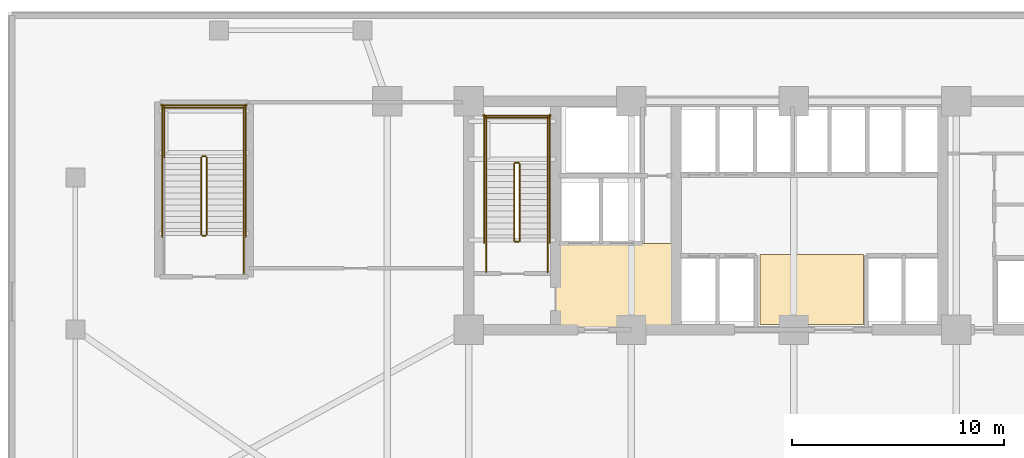
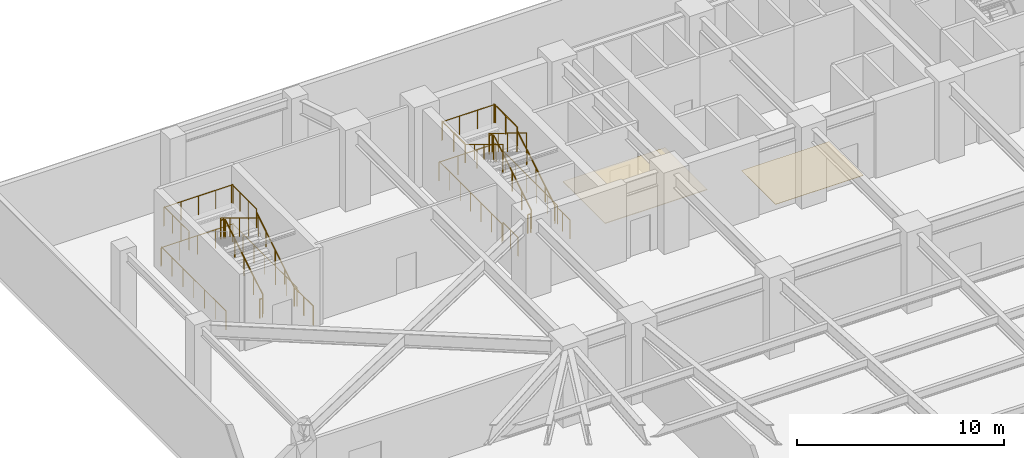
# One storey, part 16 of 19: 26 railings, 2 coverings.
"""IFC4 building model written with IfcOpenShell, lengths in metres."""

import ifcopenshell
import ifcopenshell.guid

model = None  # the IFC model being written
_history = None  # IfcOwnerHistory: only IFC2X3 demands one
_inside = {}  # id of a spatial element -> (the spatial element, [elements in it])
_under = {}  # id of a project, library or spatial element -> (it, [spatial elements below it])
_declared = {}  # id of a project -> (the project, [libraries it declares])
_typed = {}  # id of a type object -> (the type object, [elements of that type])
_made_of = {}  # id of a material, layer set ... -> (it, [elements and type objects made of it])


def new_model(schema):
    """Start an empty IFC model of exactly this schema.

    Asked for "IFC4X3", IfcOpenShell would pick the latest addendum, in which some entities
    have other attributes; the version numbers below select the first issue.
    IFC2X3 requires an IfcOwnerHistory on every rooted entity: one is made here for all.
    """
    global model, _history
    if schema == "IFC4X3":
        model = ifcopenshell.file(schema_version=(4, 3, 0, 0))
    else:
        model = ifcopenshell.file(schema=schema)
    _inside.clear()
    _under.clear()
    _declared.clear()
    _typed.clear()
    _made_of.clear()
    _history = None
    if model.schema == "IFC2X3":
        org = make("IfcOrganization", Name="unknown")
        user = make(
            "IfcPersonAndOrganization",
            ThePerson=make("IfcPerson", FamilyName="unknown"),
            TheOrganization=org,
        )
        app = make(
            "IfcApplication",
            ApplicationDeveloper=org,
            Version="unknown",
            ApplicationFullName="unknown",
            ApplicationIdentifier="unknown",
        )
        _history = make(
            "IfcOwnerHistory",
            OwningUser=user,
            OwningApplication=app,
            ChangeAction="ADDED",
            CreationDate=0,
        )
    return model


def make(cls, **values):
    """One entity of the class cls with the attributes given. An attribute that is None is left unset."""
    return model.create_entity(
        cls, **{name: value for name, value in values.items() if value is not None}
    )


def rooted(cls, **values):
    """An entity with a GlobalId (a new one), such as an element, a storey or a relation."""
    return make(cls, GlobalId=ifcopenshell.guid.new(), OwnerHistory=_history, **values)


def si_unit(unit_type, name, prefix=None):
    """IfcSIUnit, for example si_unit("LENGTHUNIT", "METRE", prefix="MILLI")."""
    return make("IfcSIUnit", UnitType=unit_type, Prefix=prefix, Name=name)


def assignment(units):
    """IfcUnitAssignment: the units of a project."""
    return None if units is None else make("IfcUnitAssignment", Units=units)


def point(xyz):
    """IfcCartesianPoint."""
    return None if xyz is None else make("IfcCartesianPoint", Coordinates=xyz)


def direction(xyz):
    """IfcDirection."""
    return None if xyz is None else make("IfcDirection", DirectionRatios=xyz)


def frame(location, z_axis=None, x_axis=None):
    """IfcAxis2Placement3D, a coordinate frame: its origin and axes. An axis left out is left unset."""
    return make(
        "IfcAxis2Placement3D",
        Location=point(location),
        Axis=direction(z_axis),
        RefDirection=direction(x_axis),
    )


def frame_2d(location, x_axis=None):
    """IfcAxis2Placement2D, a coordinate frame in the plane: its origin and x axis."""
    return make(
        "IfcAxis2Placement2D", Location=point(location), RefDirection=direction(x_axis)
    )


def origin():
    """The frame at (0, 0, 0) with its axes left unset."""
    return frame((0.0, 0.0, 0.0))


def origin_2d():
    """The frame at (0, 0) in the plane with its x axis left unset."""
    return frame_2d((0.0, 0.0))


def place(relative_to, where):
    """IfcLocalPlacement: puts the frame where relative to a parent placement (None: the world)."""
    return make(
        "IfcLocalPlacement", PlacementRelTo=relative_to, RelativePlacement=where
    )


def context(
    kind, dimensions, precision=None, world=None, true_north=None, identifier=None
):
    """IfcGeometricRepresentationContext, for example the 3D "Model" context."""
    return make(
        "IfcGeometricRepresentationContext",
        ContextIdentifier=identifier,
        ContextType=kind,
        CoordinateSpaceDimension=dimensions,
        Precision=precision,
        WorldCoordinateSystem=world,
        TrueNorth=true_north,
    )


def subcontext(parent, identifier, kind, view, scale=None):
    """IfcGeometricRepresentationSubContext, for example "Body" below "Model"."""
    return make(
        "IfcGeometricRepresentationSubContext",
        ContextIdentifier=identifier,
        ContextType=kind,
        ParentContext=parent,
        TargetScale=scale,
        TargetView=view,
    )


def project(units=None, contexts=None):
    """IfcProject with its units and contexts."""
    return rooted(
        "IfcProject",
        Name="project",
        RepresentationContexts=contexts,
        UnitsInContext=assignment(units),
    )


def spatial(cls, under=None, at=None, **own):
    """A site, building, storey or space (cls), placed at a placement, below another one or the project."""
    s = rooted(cls, ObjectPlacement=at, **own)
    if under is not None:
        _under.setdefault(under.id(), (under, []))[1].append(s)
    return s


def polyline(points):
    """IfcPolyline through the points."""
    return make("IfcPolyline", Points=[point(p) for p in points])


def profile(cls, at=None, kind="AREA", **sizes):
    """A parametric profile (cls). Its sizes go by their IFC names, for example OverallWidth=200.0."""
    return make(cls, ProfileType=kind, Position=at, **sizes)


def circle(**sizes):
    """IfcCircleProfileDef."""
    return profile("IfcCircleProfileDef", **sizes)


def outline(outer, holes=None, kind="AREA"):
    """IfcArbitraryClosedProfileDef: a profile drawn as a closed curve; with holes, ...WithVoids."""
    if holes is None:
        return make("IfcArbitraryClosedProfileDef", ProfileType=kind, OuterCurve=outer)
    return make(
        "IfcArbitraryProfileDefWithVoids",
        ProfileType=kind,
        OuterCurve=outer,
        InnerCurves=holes,
    )


def extrude(swept, where, along, depth):
    """IfcExtrudedAreaSolid: the profile swept, set in the frame where, extruded along a direction by depth."""
    return make(
        "IfcExtrudedAreaSolid",
        SweptArea=swept,
        Position=where,
        ExtrudedDirection=direction(along),
        Depth=depth,
    )


def shape(context_of_items, identifier, shape_type, items):
    """IfcShapeRepresentation: the items that make up one representation, for example the "Body"."""
    return make(
        "IfcShapeRepresentation",
        ContextOfItems=context_of_items,
        RepresentationIdentifier=identifier,
        RepresentationType=shape_type,
        Items=items,
    )


def material(Name=None, Category=None):
    """IfcMaterial."""
    return make("IfcMaterial", Name=Name, Category=Category)


def layer(
    of_material, thickness, ventilated=None, Name=None, Category=None, Priority=None
):
    """IfcMaterialLayer: one layer of a wall or slab, of a material (None: an air gap)."""
    return make(
        "IfcMaterialLayer",
        Material=of_material,
        LayerThickness=thickness,
        IsVentilated=ventilated,
        Name=Name,
        Category=Category,
        Priority=Priority,
    )


def layer_set(layers, Name=None):
    """IfcMaterialLayerSet."""
    return make("IfcMaterialLayerSet", MaterialLayers=layers, LayerSetName=Name)


def made_of(thing, what):
    """Note that an element or type object is made of a material, layer set ...; save() writes the relation."""
    if what is not None:
        _made_of.setdefault(what.id(), (what, []))[1].append(thing)
    return thing


def type_object(cls, material=None, **own):
    """A type object (cls), such as IfcWallType, which elements share."""
    return made_of(rooted(cls, **own), material)


def element(
    cls,
    number,
    at=None,
    inside=None,
    cuts=None,
    type_object=None,
    material=None,
    context=None,
    identifier="Body",
    shape_type=None,
    held_by="IfcProductDefinitionShape",
    body=None,
    shapes=None,
    **own,
):
    """One element of the class cls, such as IfcWall. Its Tag is "e" and its number.

    at: its placement. inside: the storey or other place that contains it. cuts: it is an
    opening in that element (IfcRelVoidsElement). A single representation is given by context,
    identifier, shape_type and body (its items); several are given by shapes. held_by: the class
    of the entity that holds the representations. save() writes the other relations.
    """
    e = rooted(cls, Tag="e%d" % number, ObjectPlacement=at, **own)
    if body is not None:
        shapes = [shape(context, identifier, shape_type, body)]
    if shapes is not None:
        e.Representation = make(held_by, Representations=shapes)
    if inside is not None:
        _inside.setdefault(inside.id(), (inside, []))[1].append(e)
    if cuts is not None:
        rooted(
            "IfcRelVoidsElement", RelatingBuildingElement=cuts, RelatedOpeningElement=e
        )
    if type_object is not None:
        _typed.setdefault(type_object.id(), (type_object, []))[1].append(e)
    return made_of(e, material)


def aggregate(whole, parts):
    """IfcRelAggregates: a whole, such as a stair, and the parts it consists of."""
    return rooted("IfcRelAggregates", RelatingObject=whole, RelatedObjects=parts)


def save(model, path):
    """Write the relations noted so far, then the file.

    IfcRelAggregates (storeys below a building ...), IfcRelContainedInSpatialStructure (elements
    in a storey), IfcRelDefinesByType, IfcRelAssociatesMaterial and IfcRelDeclares: one each for
    every whole, place, type object, material and project.
    """
    for whole, parts in _under.values():
        aggregate(whole, parts)
    for where, things in _inside.values():
        rooted(
            "IfcRelContainedInSpatialStructure",
            RelatedElements=things,
            RelatingStructure=where,
        )
    for kind, things in _typed.values():
        rooted("IfcRelDefinesByType", RelatedObjects=things, RelatingType=kind)
    for what, things in _made_of.values():
        rooted("IfcRelAssociatesMaterial", RelatedObjects=things, RelatingMaterial=what)
    for by, libraries in _declared.values():
        rooted("IfcRelDeclares", RelatingContext=by, RelatedDefinitions=libraries)
    model.write(path)


model = new_model("IFC4")

# Units and contexts
model_context = context("Model", 3, precision=1e-05, world=origin(), true_north=direction((0.0, 1.0)))
body_context = subcontext(model_context, "Body", "Model", "MODEL_VIEW")
ifc_project = project(units=[si_unit("LENGTHUNIT", "METRE"), si_unit("AREAUNIT", "SQUARE_METRE"), si_unit("VOLUMEUNIT", "CUBIC_METRE"), si_unit("PLANEANGLEUNIT", "RADIAN"), si_unit("MASSUNIT", "GRAM", prefix="KILO")], contexts=[model_context])

# Site, building, storey
site_placement = place(None, origin())
site = spatial("IfcSite", under=ifc_project, at=site_placement, CompositionType="ELEMENT")
building_placement = place(site_placement, origin())
building = spatial("IfcBuilding", under=site, at=building_placement, Name="Yelkora Congress Tower", CompositionType="ELEMENT")
storey_placement = place(building_placement, frame((0.0, 0.0, 15.60009765625)))
storey = spatial("IfcBuildingStorey", under=building, at=storey_placement, Name="L03", CompositionType="ELEMENT", Elevation=15.60009765625)

# Coverings
ifc_material_1 = material(Name="Perforated mineral-fibre acoustic ceiling", Category="gypsum")
ifc_layer_1 = layer(ifc_material_1, 0.0400390625)
ifc_layer_set_1 = layer_set([ifc_layer_1], Name="Perforated mineral-fibre acoustic ceiling")
covering_type_1 = type_object("IfcCoveringType", Name="COV-CEIL-ACOUSTIC-40", PredefinedType="CEILING", material=ifc_layer_set_1)
covering_1_placement = place(storey_placement, frame((0.0, 0.0, 2.39990234375)))
element("IfcCovering", 1, at=covering_1_placement, inside=storey, type_object=covering_type_1, Name="L03 Firefighting Lobby Acoustic Ceiling", PredefinedType="CEILING", context=body_context, shape_type="SweptSolid", body=[
    extrude(outline(polyline([(27.14990234375, 35.39990234375), (32.85009765625, 35.39990234375), (32.85009765625, 39.47998046875), (27.14990234375, 39.47998046875), (27.14990234375, 35.39990234375)])), origin(), (0.0, 0.0, 1.0), 0.0400390625),
])
ifc_material_2 = material(Name="Polished Anatolian grey granite tile", Category="masonry")
ifc_layer_2 = layer(ifc_material_2, 0.02001953125)
ifc_layer_set_2 = layer_set([ifc_layer_2], Name="Polished Anatolian grey granite tile")
covering_type_2 = type_object("IfcCoveringType", Name="COV-FLOOR-GRANITE-20", PredefinedType="FLOORING", material=ifc_layer_set_2)
covering_2_placement = place(storey_placement, origin())
element("IfcCovering", 2, at=covering_2_placement, inside=storey, type_object=covering_type_2, Name="L03 Lift Lobby Granite Flooring", PredefinedType="FLOORING", context=body_context, shape_type="SweptSolid", body=[
    extrude(outline(polyline([(36.800048828125, 35.64990234375), (41.699951171875, 35.64990234375), (41.699951171875, 38.949951171875), (36.800048828125, 38.949951171875), (36.800048828125, 35.64990234375)])), origin(), (0.0, 0.0, 1.0), 0.02001953125),
])

# Railings
ifc_material_3 = material(Name="Painted galvanised steel stair well guard with vertical infill", Category="steel")
ifc_layer_3 = layer(ifc_material_3, 0.06005859375)
ifc_layer_set_3 = layer_set([ifc_layer_3], Name="Painted galvanised steel stair well guard with vertical infill")
railing_type_1 = type_object("IfcRailingType", Name="RAIL-STAIR-GUARD-1120", PredefinedType="GUARDRAIL", material=ifc_layer_set_3)
railing_1_placement = place(storey_placement, frame((25.449951171875, 39.60009765625, 0.17138671875)))
element("IfcRailing", 3, at=railing_1_placement, inside=storey, type_object=railing_type_1, Name="ST-01 L03 Stair Well Guardrail 1", PredefinedType="GUARDRAIL", context=body_context, shape_type="SweptSolid", body=[
    extrude(circle(Radius=0.02392578125, at=origin_2d()), frame((0.0, 0.0, 1.09619140625), z_axis=(0.0, 0.852850264322, 0.5221555579), x_axis=(-1.0, 0.0, 0.0)), (0.0, 0.0, 1.0), 4.267822265625),
    extrude(circle(Radius=0.02099609375, at=origin_2d()), origin(), (0.0, 0.0, 1.0), 1.072021484375),
    extrude(circle(Radius=0.02099609375, at=origin_2d()), frame((0.0, 0.909912109375, 0.55712890625)), (0.0, 0.0, 1.0), 1.072021484375),
    extrude(circle(Radius=0.02099609375, at=origin_2d()), frame((0.0, 1.81982421875, 1.1142578125)), (0.0, 0.0, 1.0), 1.072021484375),
    extrude(circle(Radius=0.02099609375, at=origin_2d()), frame((0.0, 2.72998046875, 1.67138671875)), (0.0, 0.0, 1.0), 1.072021484375),
    extrude(circle(Radius=0.02099609375, at=origin_2d()), frame((0.0, 3.639892578125, 2.228515625)), (0.0, 0.0, 1.0), 1.072021484375),
])
railing_2_placement = place(storey_placement, frame((25.39990234375, 43.2900390625, 2.39990234375)))
element("IfcRailing", 4, at=railing_2_placement, inside=storey, type_object=railing_type_1, Name="ST-01 L03 Stair Well Guardrail 2", PredefinedType="GUARDRAIL", context=body_context, shape_type="SweptSolid", body=[
    extrude(circle(Radius=0.02392578125, at=origin_2d()), frame((0.0, 0.0, 1.09619140625), z_axis=(-1.0, 0.0, 0.0), x_axis=(0.0, -1.0, 0.0)), (0.0, 0.0, 1.0), 0.159912109375),
    extrude(circle(Radius=0.02099609375, at=origin_2d()), origin(), (0.0, 0.0, 1.0), 1.072021484375),
    extrude(circle(Radius=0.02099609375, at=origin_2d()), frame((-0.159912109375, 0.0, 0.0)), (0.0, 0.0, 1.0), 1.072021484375),
])
for number, where, name in (
    (5, (26.77001953125, 43.239990234375, 2.39990234375), "ST-01 L03 Stair Well Guardrail 3"),
    (6, (23.8701171875, 43.239990234375, 2.39990234375), "ST-01 L03 Stair Well Guardrail 4"),
):
    element("IfcRailing", number, at=place(storey_placement, frame(where)), inside=storey, type_object=railing_type_1, Name=name, PredefinedType="GUARDRAIL", context=body_context, shape_type="SweptSolid", body=[
        extrude(circle(Radius=0.02392578125, at=origin_2d()), frame((0.0, 0.0, 1.09619140625), z_axis=(0.0, 1.0, 0.0), x_axis=(-1.0, 0.0, 0.0)), (0.0, 0.0, 1.0), 2.22998046875),
        extrude(circle(Radius=0.02099609375, at=origin_2d()), origin(), (0.0, 0.0, 1.0), 1.072021484375),
        extrude(circle(Radius=0.02099609375, at=origin_2d()), frame((0.0, 1.114990234375, 0.0)), (0.0, 0.0, 1.0), 1.072021484375),
        extrude(circle(Radius=0.02099609375, at=origin_2d()), frame((0.0, 2.22998046875, 0.0)), (0.0, 0.0, 1.0), 1.072021484375),
    ])
railing_3_placement = place(storey_placement, frame((26.820068359375, 45.419921875, 2.39990234375)))
element("IfcRailing", 7, at=railing_3_placement, inside=storey, type_object=railing_type_1, Name="ST-01 L03 Stair Well Guardrail 5", PredefinedType="GUARDRAIL", context=body_context, shape_type="SweptSolid", body=[
    extrude(circle(Radius=0.02392578125, at=origin_2d()), frame((0.0, 0.0, 1.09619140625), z_axis=(-1.0, 0.0, 0.0), x_axis=(0.0, -1.0, 0.0)), (0.0, 0.0, 1.0), 3.0),
    extrude(circle(Radius=0.02099609375, at=origin_2d()), origin(), (0.0, 0.0, 1.0), 1.072021484375),
    extrude(circle(Radius=0.02099609375, at=origin_2d()), frame((-1.0, 0.0, 0.0)), (0.0, 0.0, 1.0), 1.072021484375),
    extrude(circle(Radius=0.02099609375, at=origin_2d()), frame((-2.0, 0.0, 0.0)), (0.0, 0.0, 1.0), 1.072021484375),
    extrude(circle(Radius=0.02099609375, at=origin_2d()), frame((-3.0, 0.0, 0.0)), (0.0, 0.0, 1.0), 1.072021484375),
])
railing_4_placement = place(storey_placement, frame((25.18994140625, 43.239990234375, 2.5712890625)))
element("IfcRailing", 8, at=railing_4_placement, inside=storey, type_object=railing_type_1, Name="ST-01 L03 Stair Well Guardrail 6", PredefinedType="GUARDRAIL", context=body_context, shape_type="SweptSolid", body=[
    extrude(circle(Radius=0.02392578125, at=origin_2d()), frame((0.0, 0.0, 1.09619140625), z_axis=(0.0, -0.852850264322, 0.5221555579), x_axis=(1.0, 0.0, 0.0)), (0.0, 0.0, 1.0), 4.267822265625),
    extrude(circle(Radius=0.02099609375, at=origin_2d()), origin(), (0.0, 0.0, 1.0), 1.072021484375),
    extrude(circle(Radius=0.02099609375, at=origin_2d()), frame((0.0, -0.909912109375, 0.55712890625)), (0.0, 0.0, 1.0), 1.072021484375),
    extrude(circle(Radius=0.02099609375, at=origin_2d()), frame((0.0, -1.81982421875, 1.1142578125)), (0.0, 0.0, 1.0), 1.072021484375),
    extrude(circle(Radius=0.02099609375, at=origin_2d()), frame((0.0, -2.72998046875, 1.67138671875)), (0.0, 0.0, 1.0), 1.072021484375),
    extrude(circle(Radius=0.02099609375, at=origin_2d()), frame((0.0, -3.639892578125, 2.228515625)), (0.0, 0.0, 1.0), 1.072021484375),
])
railing_5_placement = place(storey_placement, frame((25.39990234375, 39.550048828125, 0.0)))
element("IfcRailing", 9, at=railing_5_placement, inside=storey, type_object=railing_type_1, Name="ST-01 L03 Stair Well Guardrail 7", PredefinedType="GUARDRAIL", context=body_context, shape_type="SweptSolid", body=[
    extrude(circle(Radius=0.02392578125, at=origin_2d()), frame((0.0, 0.0, 1.09619140625), z_axis=(-1.0, 0.0, 0.0), x_axis=(0.0, -1.0, 0.0)), (0.0, 0.0, 1.0), 0.159912109375),
    extrude(circle(Radius=0.02099609375, at=origin_2d()), origin(), (0.0, 0.0, 1.0), 1.072021484375),
    extrude(circle(Radius=0.02099609375, at=origin_2d()), frame((-0.159912109375, 0.0, 0.0)), (0.0, 0.0, 1.0), 1.072021484375),
])
for number, where, name in (
    (10, (26.77001953125, 38.1201171875, 0.0), "ST-01 L03 Stair Well Guardrail 8"),
    (11, (23.8701171875, 38.1201171875, 0.0), "ST-01 L03 Stair Well Guardrail 9"),
):
    element("IfcRailing", number, at=place(storey_placement, frame(where)), inside=storey, type_object=railing_type_1, Name=name, PredefinedType="GUARDRAIL", context=body_context, shape_type="SweptSolid", body=[
        extrude(circle(Radius=0.02392578125, at=origin_2d()), frame((0.0, 0.0, 1.09619140625), z_axis=(0.0, 1.0, 0.0), x_axis=(-1.0, 0.0, 0.0)), (0.0, 0.0, 1.0), 1.47998046875),
        extrude(circle(Radius=0.02099609375, at=origin_2d()), origin(), (0.0, 0.0, 1.0), 1.072021484375),
        extrude(circle(Radius=0.02099609375, at=origin_2d()), frame((0.0, 0.739990234375, 0.0)), (0.0, 0.0, 1.0), 1.072021484375),
        extrude(circle(Radius=0.02099609375, at=origin_2d()), frame((0.0, 1.47998046875, 0.0)), (0.0, 0.0, 1.0), 1.072021484375),
    ])
for number, where, name in (
    (12, (26.8701171875, 39.5, 0.0), "ST-01 L03 Stair Well Guardrail 10"),
    (13, (23.77001953125, 39.5, 0.0), "ST-01 L03 Stair Well Guardrail 11"),
):
    element("IfcRailing", number, at=place(storey_placement, frame(where)), inside=storey, type_object=railing_type_1, Name=name, PredefinedType="GUARDRAIL", context=body_context, shape_type="SweptSolid", body=[
        extrude(circle(Radius=0.02392578125, at=origin_2d()), frame((0.0, 0.0, 1.09619140625), z_axis=(0.0, 1.0, 0.0), x_axis=(-1.0, 0.0, 0.0)), (0.0, 0.0, 1.0), 6.070068359375),
        extrude(circle(Radius=0.02099609375, at=origin_2d()), origin(), (0.0, 0.0, 1.0), 1.072021484375),
        extrude(circle(Radius=0.02099609375, at=origin_2d()), frame((0.0, 1.01171875, 0.0)), (0.0, 0.0, 1.0), 1.072021484375),
        extrude(circle(Radius=0.02099609375, at=origin_2d()), frame((0.0, 2.0234375, 0.0)), (0.0, 0.0, 1.0), 1.072021484375),
        extrude(circle(Radius=0.02099609375, at=origin_2d()), frame((0.0, 3.03515625, 0.0)), (0.0, 0.0, 1.0), 1.072021484375),
        extrude(circle(Radius=0.02099609375, at=origin_2d()), frame((0.0, 4.046630859375, 0.0)), (0.0, 0.0, 1.0), 1.072021484375),
        extrude(circle(Radius=0.02099609375, at=origin_2d()), frame((0.0, 5.058349609375, 0.0)), (0.0, 0.0, 1.0), 1.072021484375),
        extrude(circle(Radius=0.02099609375, at=origin_2d()), frame((0.0, 6.070068359375, 0.0)), (0.0, 0.0, 1.0), 1.072021484375),
    ])
railing_6_placement = place(storey_placement, frame((26.919921875, 45.52001953125, 0.0)))
element("IfcRailing", 14, at=railing_6_placement, inside=storey, type_object=railing_type_1, Name="ST-01 L03 Stair Well Guardrail 12", PredefinedType="GUARDRAIL", context=body_context, shape_type="SweptSolid", body=[
    extrude(circle(Radius=0.02392578125, at=origin_2d()), frame((0.0, 0.0, 1.09619140625), z_axis=(-1.0, 0.0, 0.0), x_axis=(0.0, -1.0, 0.0)), (0.0, 0.0, 1.0), 3.199951171875),
    extrude(circle(Radius=0.02099609375, at=origin_2d()), origin(), (0.0, 0.0, 1.0), 1.072021484375),
    extrude(circle(Radius=0.02099609375, at=origin_2d()), frame((-1.066650390625, 0.0, 0.0)), (0.0, 0.0, 1.0), 1.072021484375),
    extrude(circle(Radius=0.02099609375, at=origin_2d()), frame((-2.13330078125, 0.0, 0.0)), (0.0, 0.0, 1.0), 1.072021484375),
    extrude(circle(Radius=0.02099609375, at=origin_2d()), frame((-3.199951171875, 0.0, 0.0)), (0.0, 0.0, 1.0), 1.072021484375),
])
railing_7_placement = place(storey_placement, frame((10.659912109375, 39.89990234375, 0.17138671875)))
element("IfcRailing", 15, at=railing_7_placement, inside=storey, type_object=railing_type_1, Name="ST-P1 L03 Stair Well Guardrail 1", PredefinedType="GUARDRAIL", context=body_context, shape_type="SweptSolid", body=[
    extrude(circle(Radius=0.02392578125, at=origin_2d()), frame((0.0, 0.0, 1.09619140625), z_axis=(0.0, 0.852865859571, 0.52213008492), x_axis=(-1.0, 0.0, 0.0)), (0.0, 0.0, 1.0), 4.26806640625),
    extrude(circle(Radius=0.02099609375, at=origin_2d()), origin(), (0.0, 0.0, 1.0), 1.072021484375),
    extrude(circle(Radius=0.02099609375, at=origin_2d()), frame((0.0, 0.91015625, 0.55712890625)), (0.0, 0.0, 1.0), 1.072021484375),
    extrude(circle(Radius=0.02099609375, at=origin_2d()), frame((0.0, 1.820068359375, 1.1142578125)), (0.0, 0.0, 1.0), 1.072021484375),
    extrude(circle(Radius=0.02099609375, at=origin_2d()), frame((0.0, 2.72998046875, 1.67138671875)), (0.0, 0.0, 1.0), 1.072021484375),
    extrude(circle(Radius=0.02099609375, at=origin_2d()), frame((0.0, 3.64013671875, 2.228515625)), (0.0, 0.0, 1.0), 1.072021484375),
])
railing_8_placement = place(storey_placement, frame((10.610107421875, 43.590087890625, 2.39990234375)))
element("IfcRailing", 16, at=railing_8_placement, inside=storey, type_object=railing_type_1, Name="ST-P1 L03 Stair Well Guardrail 2", PredefinedType="GUARDRAIL", context=body_context, shape_type="SweptSolid", body=[
    extrude(circle(Radius=0.02392578125, at=origin_2d()), frame((0.0, 0.0, 1.09619140625), z_axis=(-1.0, 0.0, 0.0), x_axis=(0.0, -1.0, 0.0)), (0.0, 0.0, 1.0), 0.16015625),
    extrude(circle(Radius=0.02099609375, at=origin_2d()), origin(), (0.0, 0.0, 1.0), 1.072021484375),
    extrude(circle(Radius=0.02099609375, at=origin_2d()), frame((-0.16015625, 0.0, 0.0)), (0.0, 0.0, 1.0), 1.072021484375),
])
for number, where, name in (
    (17, (12.409912109375, 43.5400390625, 2.39990234375), "ST-P1 L03 Stair Well Guardrail 3"),
    (18, (8.64990234375, 43.5400390625, 2.39990234375), "ST-P1 L03 Stair Well Guardrail 4"),
):
    element("IfcRailing", number, at=place(storey_placement, frame(where)), inside=storey, type_object=railing_type_1, Name=name, PredefinedType="GUARDRAIL", context=body_context, shape_type="SweptSolid", body=[
        extrude(circle(Radius=0.02392578125, at=origin_2d()), frame((0.0, 0.0, 1.09619140625), z_axis=(0.0, 1.0, 0.0), x_axis=(-1.0, 0.0, 0.0)), (0.0, 0.0, 1.0), 2.409912109375),
        extrude(circle(Radius=0.02099609375, at=origin_2d()), origin(), (0.0, 0.0, 1.0), 1.072021484375),
        extrude(circle(Radius=0.02099609375, at=origin_2d()), frame((0.0, 0.80322265625, 0.0)), (0.0, 0.0, 1.0), 1.072021484375),
        extrude(circle(Radius=0.02099609375, at=origin_2d()), frame((0.0, 1.606689453125, 0.0)), (0.0, 0.0, 1.0), 1.072021484375),
        extrude(circle(Radius=0.02099609375, at=origin_2d()), frame((0.0, 2.409912109375, 0.0)), (0.0, 0.0, 1.0), 1.072021484375),
    ])
railing_9_placement = place(storey_placement, frame((12.4599609375, 45.89990234375, 2.39990234375)))
element("IfcRailing", 19, at=railing_9_placement, inside=storey, type_object=railing_type_1, Name="ST-P1 L03 Stair Well Guardrail 5", PredefinedType="GUARDRAIL", context=body_context, shape_type="SweptSolid", body=[
    extrude(circle(Radius=0.02392578125, at=origin_2d()), frame((0.0, 0.0, 1.09619140625), z_axis=(-1.0, 0.0, 0.0), x_axis=(0.0, -1.0, 0.0)), (0.0, 0.0, 1.0), 3.85986328125),
    extrude(circle(Radius=0.02099609375, at=origin_2d()), origin(), (0.0, 0.0, 1.0), 1.072021484375),
    extrude(circle(Radius=0.02099609375, at=origin_2d()), frame((-0.96484375, 0.0, 0.0)), (0.0, 0.0, 1.0), 1.072021484375),
    extrude(circle(Radius=0.02099609375, at=origin_2d()), frame((-1.929931640625, 0.0, 0.0)), (0.0, 0.0, 1.0), 1.072021484375),
    extrude(circle(Radius=0.02099609375, at=origin_2d()), frame((-2.89501953125, 0.0, 0.0)), (0.0, 0.0, 1.0), 1.072021484375),
    extrude(circle(Radius=0.02099609375, at=origin_2d()), frame((-3.85986328125, 0.0, 0.0)), (0.0, 0.0, 1.0), 1.072021484375),
])
railing_10_placement = place(storey_placement, frame((10.39990234375, 43.5400390625, 2.5712890625)))
element("IfcRailing", 20, at=railing_10_placement, inside=storey, type_object=railing_type_1, Name="ST-P1 L03 Stair Well Guardrail 6", PredefinedType="GUARDRAIL", context=body_context, shape_type="SweptSolid", body=[
    extrude(circle(Radius=0.02392578125, at=origin_2d()), frame((0.0, 0.0, 1.09619140625), z_axis=(0.0, -0.852865859571, 0.52213008492), x_axis=(1.0, 0.0, 0.0)), (0.0, 0.0, 1.0), 4.26806640625),
    extrude(circle(Radius=0.02099609375, at=origin_2d()), origin(), (0.0, 0.0, 1.0), 1.072021484375),
    extrude(circle(Radius=0.02099609375, at=origin_2d()), frame((0.0, -0.91015625, 0.55712890625)), (0.0, 0.0, 1.0), 1.072021484375),
    extrude(circle(Radius=0.02099609375, at=origin_2d()), frame((0.0, -1.820068359375, 1.1142578125)), (0.0, 0.0, 1.0), 1.072021484375),
    extrude(circle(Radius=0.02099609375, at=origin_2d()), frame((0.0, -2.72998046875, 1.67138671875)), (0.0, 0.0, 1.0), 1.072021484375),
    extrude(circle(Radius=0.02099609375, at=origin_2d()), frame((0.0, -3.64013671875, 2.228515625)), (0.0, 0.0, 1.0), 1.072021484375),
])
railing_11_placement = place(storey_placement, frame((10.610107421875, 39.85009765625, 0.0)))
element("IfcRailing", 21, at=railing_11_placement, inside=storey, type_object=railing_type_1, Name="ST-P1 L03 Stair Well Guardrail 7", PredefinedType="GUARDRAIL", context=body_context, shape_type="SweptSolid", body=[
    extrude(circle(Radius=0.02392578125, at=origin_2d()), frame((0.0, 0.0, 1.09619140625), z_axis=(-1.0, 0.0, 0.0), x_axis=(0.0, -1.0, 0.0)), (0.0, 0.0, 1.0), 0.16015625),
    extrude(circle(Radius=0.02099609375, at=origin_2d()), origin(), (0.0, 0.0, 1.0), 1.072021484375),
    extrude(circle(Radius=0.02099609375, at=origin_2d()), frame((-0.16015625, 0.0, 0.0)), (0.0, 0.0, 1.0), 1.072021484375),
])
railing_12_placement = place(storey_placement, frame((12.409912109375, 38.050048828125, 0.0)))
element("IfcRailing", 22, at=railing_12_placement, inside=storey, type_object=railing_type_1, Name="ST-P1 L03 Stair Well Guardrail 8", PredefinedType="GUARDRAIL", context=body_context, shape_type="SweptSolid", body=[
    extrude(circle(Radius=0.02392578125, at=origin_2d()), frame((0.0, 0.0, 1.09619140625), z_axis=(0.0, 1.0, 0.0), x_axis=(-1.0, 0.0, 0.0)), (0.0, 0.0, 1.0), 1.849853515625),
    extrude(circle(Radius=0.02099609375, at=origin_2d()), origin(), (0.0, 0.0, 1.0), 1.072021484375),
    extrude(circle(Radius=0.02099609375, at=origin_2d()), frame((0.0, 0.9248046875, 0.0)), (0.0, 0.0, 1.0), 1.072021484375),
    extrude(circle(Radius=0.02099609375, at=origin_2d()), frame((0.0, 1.849853515625, 0.0)), (0.0, 0.0, 1.0), 1.072021484375),
])
for number, where, name in (
    (23, (12.510009765625, 39.800048828125, 0.0), "ST-P1 L03 Stair Well Guardrail 10"),
    (24, (8.550048828125, 39.800048828125, 0.0), "ST-P1 L03 Stair Well Guardrail 11"),
):
    element("IfcRailing", number, at=place(storey_placement, frame(where)), inside=storey, type_object=railing_type_1, Name=name, PredefinedType="GUARDRAIL", context=body_context, shape_type="SweptSolid", body=[
        extrude(circle(Radius=0.02392578125, at=origin_2d()), frame((0.0, 0.0, 1.09619140625), z_axis=(0.0, 1.0, 0.0), x_axis=(-1.0, 0.0, 0.0)), (0.0, 0.0, 1.0), 6.25),
        extrude(circle(Radius=0.02099609375, at=origin_2d()), origin(), (0.0, 0.0, 1.0), 1.072021484375),
        extrude(circle(Radius=0.02099609375, at=origin_2d()), frame((0.0, 1.041748046875, 0.0)), (0.0, 0.0, 1.0), 1.072021484375),
        extrude(circle(Radius=0.02099609375, at=origin_2d()), frame((0.0, 2.083251953125, 0.0)), (0.0, 0.0, 1.0), 1.072021484375),
        extrude(circle(Radius=0.02099609375, at=origin_2d()), frame((0.0, 3.125, 0.0)), (0.0, 0.0, 1.0), 1.072021484375),
        extrude(circle(Radius=0.02099609375, at=origin_2d()), frame((0.0, 4.166748046875, 0.0)), (0.0, 0.0, 1.0), 1.072021484375),
        extrude(circle(Radius=0.02099609375, at=origin_2d()), frame((0.0, 5.208251953125, 0.0)), (0.0, 0.0, 1.0), 1.072021484375),
        extrude(circle(Radius=0.02099609375, at=origin_2d()), frame((0.0, 6.25, 0.0)), (0.0, 0.0, 1.0), 1.072021484375),
    ])
railing_13_placement = place(storey_placement, frame((12.56005859375, 46.0, 0.0)))
element("IfcRailing", 25, at=railing_13_placement, inside=storey, type_object=railing_type_1, Name="ST-P1 L03 Stair Well Guardrail 12", PredefinedType="GUARDRAIL", context=body_context, shape_type="SweptSolid", body=[
    extrude(circle(Radius=0.02392578125, at=origin_2d()), frame((0.0, 0.0, 1.09619140625), z_axis=(-1.0, 0.0, 0.0), x_axis=(0.0, -1.0, 0.0)), (0.0, 0.0, 1.0), 4.06005859375),
    extrude(circle(Radius=0.02099609375, at=origin_2d()), origin(), (0.0, 0.0, 1.0), 1.072021484375),
    extrude(circle(Radius=0.02099609375, at=origin_2d()), frame((-1.01513671875, 0.0, 0.0)), (0.0, 0.0, 1.0), 1.072021484375),
    extrude(circle(Radius=0.02099609375, at=origin_2d()), frame((-2.030029296875, 0.0, 0.0)), (0.0, 0.0, 1.0), 1.072021484375),
    extrude(circle(Radius=0.02099609375, at=origin_2d()), frame((-3.044921875, 0.0, 0.0)), (0.0, 0.0, 1.0), 1.072021484375),
    extrude(circle(Radius=0.02099609375, at=origin_2d()), frame((-4.06005859375, 0.0, 0.0)), (0.0, 0.0, 1.0), 1.072021484375),
])
ifc_material_4 = material(Name="Brushed stainless steel tubular handrail", Category="steel")
ifc_layer_4 = layer(ifc_material_4, 0.050048828125)
ifc_layer_set_4 = layer_set([ifc_layer_4], Name="Brushed stainless steel tubular handrail")
railing_type_2 = type_object("IfcRailingType", Name="RAIL-STAIR-HAND-920", PredefinedType="HANDRAIL", material=ifc_layer_set_4)
railing_14_placement = place(storey_placement, frame((26.77001953125, 39.60009765625, 0.17138671875)))
element("IfcRailing", 26, at=railing_14_placement, inside=storey, type_object=railing_type_2, Name="ST-01 L03 Pitch Handrail 1", PredefinedType="HANDRAIL", context=body_context, shape_type="SweptSolid", body=[
    extrude(circle(Radius=0.02392578125, at=origin_2d()), frame((0.0, 0.0, 0.89599609375), z_axis=(0.0, 0.852850264322, 0.5221555579), x_axis=(-1.0, 0.0, 0.0)), (0.0, 0.0, 1.0), 4.267822265625),
    extrude(circle(Radius=0.02099609375, at=origin_2d()), origin(), (0.0, 0.0, 1.0), 0.871826171875),
    extrude(circle(Radius=0.02099609375, at=origin_2d()), frame((0.0, 0.909912109375, 0.55712890625)), (0.0, 0.0, 1.0), 0.871826171875),
    extrude(circle(Radius=0.02099609375, at=origin_2d()), frame((0.0, 1.81982421875, 1.1142578125)), (0.0, 0.0, 1.0), 0.871826171875),
    extrude(circle(Radius=0.02099609375, at=origin_2d()), frame((0.0, 2.72998046875, 1.67138671875)), (0.0, 0.0, 1.0), 0.871826171875),
    extrude(circle(Radius=0.02099609375, at=origin_2d()), frame((0.0, 3.639892578125, 2.228515625)), (0.0, 0.0, 1.0), 0.871826171875),
])
railing_15_placement = place(storey_placement, frame((23.8701171875, 43.239990234375, 2.5712890625)))
element("IfcRailing", 27, at=railing_15_placement, inside=storey, type_object=railing_type_2, Name="ST-01 L03 Pitch Handrail 2", PredefinedType="HANDRAIL", context=body_context, shape_type="SweptSolid", body=[
    extrude(circle(Radius=0.02392578125, at=origin_2d()), frame((0.0, 0.0, 0.89599609375), z_axis=(0.0, -0.852850264322, 0.5221555579), x_axis=(1.0, 0.0, 0.0)), (0.0, 0.0, 1.0), 4.267822265625),
    extrude(circle(Radius=0.02099609375, at=origin_2d()), origin(), (0.0, 0.0, 1.0), 0.871826171875),
    extrude(circle(Radius=0.02099609375, at=origin_2d()), frame((0.0, -0.909912109375, 0.55712890625)), (0.0, 0.0, 1.0), 0.871826171875),
    extrude(circle(Radius=0.02099609375, at=origin_2d()), frame((0.0, -1.81982421875, 1.1142578125)), (0.0, 0.0, 1.0), 0.871826171875),
    extrude(circle(Radius=0.02099609375, at=origin_2d()), frame((0.0, -2.72998046875, 1.67138671875)), (0.0, 0.0, 1.0), 0.871826171875),
    extrude(circle(Radius=0.02099609375, at=origin_2d()), frame((0.0, -3.639892578125, 2.228515625)), (0.0, 0.0, 1.0), 0.871826171875),
])
railing_16_placement = place(storey_placement, frame((12.409912109375, 39.89990234375, 0.17138671875)))
element("IfcRailing", 28, at=railing_16_placement, inside=storey, type_object=railing_type_2, Name="ST-P1 L03 Pitch Handrail 1", PredefinedType="HANDRAIL", context=body_context, shape_type="SweptSolid", body=[
    extrude(circle(Radius=0.02392578125, at=origin_2d()), frame((0.0, 0.0, 0.89599609375), z_axis=(0.0, 0.852865859571, 0.52213008492), x_axis=(-1.0, 0.0, 0.0)), (0.0, 0.0, 1.0), 4.26806640625),
    extrude(circle(Radius=0.02099609375, at=origin_2d()), origin(), (0.0, 0.0, 1.0), 0.871826171875),
    extrude(circle(Radius=0.02099609375, at=origin_2d()), frame((0.0, 0.91015625, 0.55712890625)), (0.0, 0.0, 1.0), 0.871826171875),
    extrude(circle(Radius=0.02099609375, at=origin_2d()), frame((0.0, 1.820068359375, 1.1142578125)), (0.0, 0.0, 1.0), 0.871826171875),
    extrude(circle(Radius=0.02099609375, at=origin_2d()), frame((0.0, 2.72998046875, 1.67138671875)), (0.0, 0.0, 1.0), 0.871826171875),
    extrude(circle(Radius=0.02099609375, at=origin_2d()), frame((0.0, 3.64013671875, 2.228515625)), (0.0, 0.0, 1.0), 0.871826171875),
])

save(model, "model.ifc")
